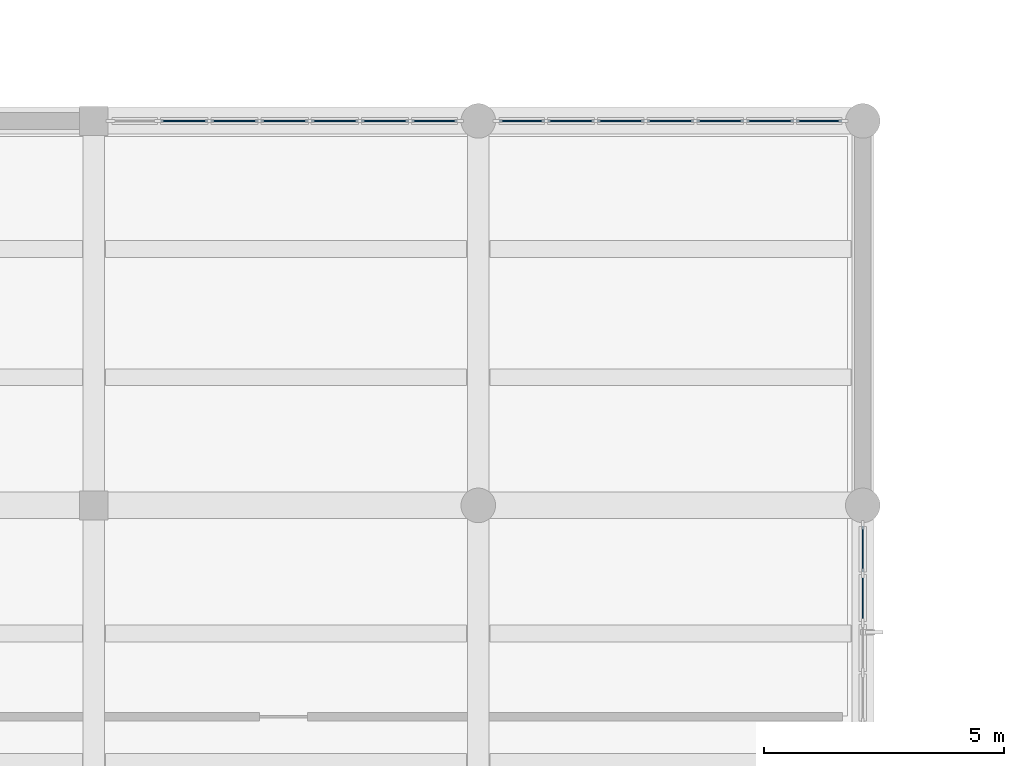
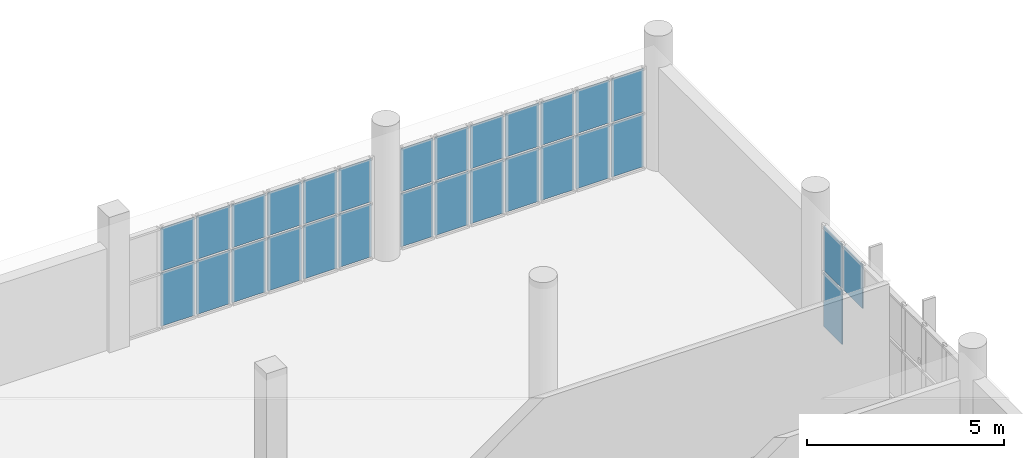
# One storey, part 58 of 85: 29 plates, 3 elements without a shape of their own.
"""IFC4 building model written with IfcOpenShell, lengths in metres."""

from ifc_helpers import new_model, si_unit, direction, frame, origin, origin_2d, place, context, subcontext, project, spatial, rectangle, extrude, material, layer, layer_set, type_object, element, aggregate, save


model = new_model("IFC4")

# Units and contexts
model_context = context("Model", 3, precision=1e-05, world=origin(), true_north=direction((0.0, 1.0)))
body_context = subcontext(model_context, "Body", "Model", "MODEL_VIEW")
ifc_project = project(units=[si_unit("LENGTHUNIT", "METRE"), si_unit("AREAUNIT", "SQUARE_METRE"), si_unit("VOLUMEUNIT", "CUBIC_METRE"), si_unit("PLANEANGLEUNIT", "RADIAN"), si_unit("MASSUNIT", "GRAM", prefix="KILO")], contexts=[model_context])

# Site, building, storey
site_placement = place(None, origin())
site = spatial("IfcSite", under=ifc_project, at=site_placement, CompositionType="ELEMENT")
building_placement = place(site_placement, origin())
building = spatial("IfcBuilding", under=site, at=building_placement, Name="Solvane Community Centre", CompositionType="ELEMENT")
storey_placement = place(building_placement, frame((0.0, 0.0, 5.39990234375)))
storey = spatial("IfcBuildingStorey", under=building, at=storey_placement, Name="L01", CompositionType="ELEMENT", Elevation=5.39990234375)

# Curtain wall, plates
ifc_material_1 = material(Name="Anodised bronze aluminium AW-6063 T6", Category="aluminium")
ifc_layer_1 = layer(ifc_material_1, 0.18994140625)
ifc_layer_set_1 = layer_set([ifc_layer_1], Name="Anodised bronze aluminium AW-6063 T6")
curtain_wall_type_1 = type_object("IfcCurtainWallType", Name="Boulevard Bronze Vision Curtain Wall [72x32dm]", PredefinedType="NOTDEFINED", material=ifc_layer_set_1)
curtain_wall_1_placement = place(storey_placement, origin())
curtain_wall_1 = element("IfcCurtainWall", 1, at=curtain_wall_1_placement, inside=storey, type_object=curtain_wall_type_1, Name="Curtain Wall CW-L01-764_1100-093", PredefinedType="NOTDEFINED")
ifc_material_2 = material(Name="Tempered low-E double glazing", Category="glass")
ifc_layer_2 = layer(ifc_material_2, 0.028076171875)
ifc_layer_set_2 = layer_set([ifc_layer_2], Name="Tempered low-E double glazing")
plate_type_1 = type_object("IfcPlateType", Name="Low-E Vision Glazing Panel 28mm [72x32dm]", PredefinedType="CURTAIN_PANEL", material=ifc_layer_set_2)
plate_1_placement = place(storey_placement, frame((76.907958984375, 110.0, 0.06005859375), z_axis=(0.0, 0.0, 1.0), x_axis=(1.0, 0.0, 0.0)))
plate_1 = element("IfcPlate", 2, at=plate_1_placement, type_object=plate_type_1, Name="CW02-72x32 panel 1.1", PredefinedType="CURTAIN_PANEL", context=body_context, shape_type="SweptSolid", body=[
    extrude(rectangle(XDim=0.94580078125, YDim=0.028076171875, at=origin_2d()), origin(), (0.0, 0.0, 1.0), 1.65087890625),
])
plate_2_placement = place(storey_placement, frame((76.907958984375, 110.0, 1.77099609375), z_axis=(0.0, 0.0, 1.0), x_axis=(1.0, 0.0, 0.0)))
plate_2 = element("IfcPlate", 3, at=plate_2_placement, type_object=plate_type_1, Name="CW02-72x32 panel 1.2", PredefinedType="CURTAIN_PANEL", context=body_context, shape_type="SweptSolid", body=[
    extrude(rectangle(XDim=0.94580078125, YDim=0.028076171875, at=origin_2d()), origin(), (0.0, 0.0, 1.0), 1.333984375),
])
plate_3_placement = place(storey_placement, frame((77.928466796875, 110.0, 0.06005859375), z_axis=(0.0, 0.0, 1.0), x_axis=(1.0, 0.0, 0.0)))
plate_3 = element("IfcPlate", 4, at=plate_3_placement, type_object=plate_type_1, Name="CW02-72x32 panel 2.1", PredefinedType="CURTAIN_PANEL", context=body_context, shape_type="SweptSolid", body=[
    extrude(rectangle(XDim=0.975830078125, YDim=0.028076171875, at=origin_2d()), origin(), (0.0, 0.0, 1.0), 1.65087890625),
])
plate_4_placement = place(storey_placement, frame((77.928466796875, 110.0, 1.77099609375), z_axis=(0.0, 0.0, 1.0), x_axis=(1.0, 0.0, 0.0)))
plate_4 = element("IfcPlate", 5, at=plate_4_placement, type_object=plate_type_1, Name="CW02-72x32 panel 2.2", PredefinedType="CURTAIN_PANEL", context=body_context, shape_type="SweptSolid", body=[
    extrude(rectangle(XDim=0.975830078125, YDim=0.028076171875, at=origin_2d()), origin(), (0.0, 0.0, 1.0), 1.333984375),
])
plate_5_placement = place(storey_placement, frame((78.96435546875, 110.0, 0.06005859375), z_axis=(0.0, 0.0, 1.0), x_axis=(1.0, 0.0, 0.0)))
plate_5 = element("IfcPlate", 6, at=plate_5_placement, type_object=plate_type_1, Name="CW02-72x32 panel 3.1", PredefinedType="CURTAIN_PANEL", context=body_context, shape_type="SweptSolid", body=[
    extrude(rectangle(XDim=0.975830078125, YDim=0.028076171875, at=origin_2d()), origin(), (0.0, 0.0, 1.0), 1.65087890625),
])
plate_6_placement = place(storey_placement, frame((78.96435546875, 110.0, 1.77099609375), z_axis=(0.0, 0.0, 1.0), x_axis=(1.0, 0.0, 0.0)))
plate_6 = element("IfcPlate", 7, at=plate_6_placement, type_object=plate_type_1, Name="CW02-72x32 panel 3.2", PredefinedType="CURTAIN_PANEL", context=body_context, shape_type="SweptSolid", body=[
    extrude(rectangle(XDim=0.975830078125, YDim=0.028076171875, at=origin_2d()), origin(), (0.0, 0.0, 1.0), 1.333984375),
])
plate_7_placement = place(storey_placement, frame((80.0, 110.0, 0.06005859375), z_axis=(0.0, 0.0, 1.0), x_axis=(1.0, 0.0, 0.0)))
plate_7 = element("IfcPlate", 8, at=plate_7_placement, type_object=plate_type_1, Name="CW02-72x32 panel 4.1", PredefinedType="CURTAIN_PANEL", context=body_context, shape_type="SweptSolid", body=[
    extrude(rectangle(XDim=0.975830078125, YDim=0.028076171875, at=origin_2d()), origin(), (0.0, 0.0, 1.0), 1.65087890625),
])
plate_8_placement = place(storey_placement, frame((80.0, 110.0, 1.77099609375), z_axis=(0.0, 0.0, 1.0), x_axis=(1.0, 0.0, 0.0)))
plate_8 = element("IfcPlate", 9, at=plate_8_placement, type_object=plate_type_1, Name="CW02-72x32 panel 4.2", PredefinedType="CURTAIN_PANEL", context=body_context, shape_type="SweptSolid", body=[
    extrude(rectangle(XDim=0.975830078125, YDim=0.028076171875, at=origin_2d()), origin(), (0.0, 0.0, 1.0), 1.333984375),
])
plate_9_placement = place(storey_placement, frame((81.03564453125, 110.0, 0.06005859375), z_axis=(0.0, 0.0, 1.0), x_axis=(1.0, 0.0, 0.0)))
plate_9 = element("IfcPlate", 10, at=plate_9_placement, type_object=plate_type_1, Name="CW02-72x32 panel 5.1", PredefinedType="CURTAIN_PANEL", context=body_context, shape_type="SweptSolid", body=[
    extrude(rectangle(XDim=0.975830078125, YDim=0.028076171875, at=origin_2d()), origin(), (0.0, 0.0, 1.0), 1.65087890625),
])
plate_10_placement = place(storey_placement, frame((81.03564453125, 110.0, 1.77099609375), z_axis=(0.0, 0.0, 1.0), x_axis=(1.0, 0.0, 0.0)))
plate_10 = element("IfcPlate", 11, at=plate_10_placement, type_object=plate_type_1, Name="CW02-72x32 panel 5.2", PredefinedType="CURTAIN_PANEL", context=body_context, shape_type="SweptSolid", body=[
    extrude(rectangle(XDim=0.975830078125, YDim=0.028076171875, at=origin_2d()), origin(), (0.0, 0.0, 1.0), 1.333984375),
])
plate_11_placement = place(storey_placement, frame((82.071533203125, 110.0, 0.06005859375), z_axis=(0.0, 0.0, 1.0), x_axis=(1.0, 0.0, 0.0)))
plate_11 = element("IfcPlate", 12, at=plate_11_placement, type_object=plate_type_1, Name="CW02-72x32 panel 6.1", PredefinedType="CURTAIN_PANEL", context=body_context, shape_type="SweptSolid", body=[
    extrude(rectangle(XDim=0.975830078125, YDim=0.028076171875, at=origin_2d()), origin(), (0.0, 0.0, 1.0), 1.65087890625),
])
plate_12_placement = place(storey_placement, frame((82.071533203125, 110.0, 1.77099609375), z_axis=(0.0, 0.0, 1.0), x_axis=(1.0, 0.0, 0.0)))
plate_12 = element("IfcPlate", 13, at=plate_12_placement, type_object=plate_type_1, Name="CW02-72x32 panel 6.2", PredefinedType="CURTAIN_PANEL", context=body_context, shape_type="SweptSolid", body=[
    extrude(rectangle(XDim=0.975830078125, YDim=0.028076171875, at=origin_2d()), origin(), (0.0, 0.0, 1.0), 1.333984375),
])
plate_13_placement = place(storey_placement, frame((83.092041015625, 110.0, 0.06005859375), z_axis=(0.0, 0.0, 1.0), x_axis=(1.0, 0.0, 0.0)))
plate_13 = element("IfcPlate", 14, at=plate_13_placement, type_object=plate_type_1, Name="CW02-72x32 panel 7.1", PredefinedType="CURTAIN_PANEL", context=body_context, shape_type="SweptSolid", body=[
    extrude(rectangle(XDim=0.94580078125, YDim=0.028076171875, at=origin_2d()), origin(), (0.0, 0.0, 1.0), 1.65087890625),
])
plate_14_placement = place(storey_placement, frame((83.092041015625, 110.0, 1.77099609375), z_axis=(0.0, 0.0, 1.0), x_axis=(1.0, 0.0, 0.0)))
plate_14 = element("IfcPlate", 15, at=plate_14_placement, type_object=plate_type_1, Name="CW02-72x32 panel 7.2", PredefinedType="CURTAIN_PANEL", context=body_context, shape_type="SweptSolid", body=[
    extrude(rectangle(XDim=0.94580078125, YDim=0.028076171875, at=origin_2d()), origin(), (0.0, 0.0, 1.0), 1.333984375),
])
aggregate(curtain_wall_1, [plate_1, plate_2, plate_3, plate_4, plate_5, plate_6, plate_7, plate_8, plate_9, plate_10, plate_11, plate_12, plate_13, plate_14])

curtain_wall_2_placement = place(storey_placement, origin())
curtain_wall_2 = element("IfcCurtainWall", 16, at=curtain_wall_2_placement, inside=storey, type_object=curtain_wall_type_1, Name="Curtain Wall CW-L01-840_1016-094", PredefinedType="NOTDEFINED")
plate_15_placement = place(storey_placement, frame((84.0, 101.092041015625, 0.06005859375), z_axis=(0.0, 0.0, 1.0), x_axis=(0.0, -1.0, 0.0)))
plate_15 = element("IfcPlate", 17, at=plate_15_placement, type_object=plate_type_1, Name="CW02-72x32 panel 1.1", PredefinedType="CURTAIN_PANEL", context=body_context, shape_type="SweptSolid", body=[
    extrude(rectangle(XDim=0.94580078125, YDim=0.028076171875, at=origin_2d()), origin(), (0.0, 0.0, 1.0), 1.68408203125),
])
plate_16_placement = place(storey_placement, frame((84.0, 101.092041015625, 1.80419921875), z_axis=(0.0, 0.0, 1.0), x_axis=(0.0, -1.0, 0.0)))
plate_16 = element("IfcPlate", 18, at=plate_16_placement, type_object=plate_type_1, Name="CW02-72x32 panel 1.2", PredefinedType="CURTAIN_PANEL", context=body_context, shape_type="SweptSolid", body=[
    extrude(rectangle(XDim=0.94580078125, YDim=0.028076171875, at=origin_2d()), origin(), (0.0, 0.0, 1.0), 1.361083984375),
])
plate_17_placement = place(storey_placement, frame((84.0, 100.071533203125, 1.80419921875), z_axis=(0.0, 0.0, 1.0), x_axis=(0.0, -1.0, 0.0)))
plate_17 = element("IfcPlate", 19, at=plate_17_placement, type_object=plate_type_1, Name="CW02-72x32 panel 2.2", PredefinedType="CURTAIN_PANEL", context=body_context, shape_type="SweptSolid", body=[
    extrude(rectangle(XDim=0.975830078125, YDim=0.028076171875, at=origin_2d()), origin(), (0.0, 0.0, 1.0), 1.361083984375),
])
aggregate(curtain_wall_2, [plate_15, plate_16, plate_17])

ifc_layer_3 = layer(ifc_material_1, 0.18994140625)
ifc_layer_set_3 = layer_set([ifc_layer_3], Name="Anodised bronze aluminium AW-6063 T6")
curtain_wall_type_2 = type_object("IfcCurtainWallType", Name="Boulevard Bronze Vision Curtain Wall [73x32dm]", PredefinedType="NOTDEFINED", material=ifc_layer_set_3)
curtain_wall_3_placement = place(storey_placement, origin())
curtain_wall_3 = element("IfcCurtainWall", 20, at=curtain_wall_3_placement, inside=storey, type_object=curtain_wall_type_2, Name="Curtain Wall CW-L01-683_1100-092", PredefinedType="NOTDEFINED")
ifc_layer_4 = layer(ifc_material_2, 0.028076171875)
ifc_layer_set_4 = layer_set([ifc_layer_4], Name="Tempered low-E double glazing")
plate_type_2 = type_object("IfcPlateType", Name="Low-E Vision Glazing Panel 28mm [73x32dm]", PredefinedType="CURTAIN_PANEL", material=ifc_layer_set_4)
plate_18_placement = place(storey_placement, frame((69.88134765625, 110.0, 0.06005859375), z_axis=(0.0, 0.0, 1.0), x_axis=(1.0, 0.0, 0.0)))
plate_18 = element("IfcPlate", 21, at=plate_18_placement, type_object=plate_type_2, Name="CW02-73x32 panel 2.1", PredefinedType="CURTAIN_PANEL", context=body_context, shape_type="SweptSolid", body=[
    extrude(rectangle(XDim=0.984375, YDim=0.028076171875, at=origin_2d()), origin(), (0.0, 0.0, 1.0), 1.65087890625),
])
plate_19_placement = place(storey_placement, frame((69.88134765625, 110.0, 1.77099609375), z_axis=(0.0, 0.0, 1.0), x_axis=(1.0, 0.0, 0.0)))
plate_19 = element("IfcPlate", 22, at=plate_19_placement, type_object=plate_type_2, Name="CW02-73x32 panel 2.2", PredefinedType="CURTAIN_PANEL", context=body_context, shape_type="SweptSolid", body=[
    extrude(rectangle(XDim=0.984375, YDim=0.028076171875, at=origin_2d()), origin(), (0.0, 0.0, 1.0), 1.333984375),
])
plate_20_placement = place(storey_placement, frame((70.92578125, 110.0, 0.06005859375), z_axis=(0.0, 0.0, 1.0), x_axis=(1.0, 0.0, 0.0)))
plate_20 = element("IfcPlate", 23, at=plate_20_placement, type_object=plate_type_2, Name="CW02-73x32 panel 3.1", PredefinedType="CURTAIN_PANEL", context=body_context, shape_type="SweptSolid", body=[
    extrude(rectangle(XDim=0.984375, YDim=0.028076171875, at=origin_2d()), origin(), (0.0, 0.0, 1.0), 1.65087890625),
])
plate_21_placement = place(storey_placement, frame((70.92578125, 110.0, 1.77099609375), z_axis=(0.0, 0.0, 1.0), x_axis=(1.0, 0.0, 0.0)))
plate_21 = element("IfcPlate", 24, at=plate_21_placement, type_object=plate_type_2, Name="CW02-73x32 panel 3.2", PredefinedType="CURTAIN_PANEL", context=body_context, shape_type="SweptSolid", body=[
    extrude(rectangle(XDim=0.984375, YDim=0.028076171875, at=origin_2d()), origin(), (0.0, 0.0, 1.0), 1.333984375),
])
plate_22_placement = place(storey_placement, frame((71.969970703125, 110.0, 0.06005859375), z_axis=(0.0, 0.0, 1.0), x_axis=(1.0, 0.0, 0.0)))
plate_22 = element("IfcPlate", 25, at=plate_22_placement, type_object=plate_type_2, Name="CW02-73x32 panel 4.1", PredefinedType="CURTAIN_PANEL", context=body_context, shape_type="SweptSolid", body=[
    extrude(rectangle(XDim=0.984375, YDim=0.028076171875, at=origin_2d()), origin(), (0.0, 0.0, 1.0), 1.65087890625),
])
plate_23_placement = place(storey_placement, frame((71.969970703125, 110.0, 1.77099609375), z_axis=(0.0, 0.0, 1.0), x_axis=(1.0, 0.0, 0.0)))
plate_23 = element("IfcPlate", 26, at=plate_23_placement, type_object=plate_type_2, Name="CW02-73x32 panel 4.2", PredefinedType="CURTAIN_PANEL", context=body_context, shape_type="SweptSolid", body=[
    extrude(rectangle(XDim=0.984375, YDim=0.028076171875, at=origin_2d()), origin(), (0.0, 0.0, 1.0), 1.333984375),
])
plate_24_placement = place(storey_placement, frame((73.014404296875, 110.0, 0.06005859375), z_axis=(0.0, 0.0, 1.0), x_axis=(1.0, 0.0, 0.0)))
plate_24 = element("IfcPlate", 27, at=plate_24_placement, type_object=plate_type_2, Name="CW02-73x32 panel 5.1", PredefinedType="CURTAIN_PANEL", context=body_context, shape_type="SweptSolid", body=[
    extrude(rectangle(XDim=0.984375, YDim=0.028076171875, at=origin_2d()), origin(), (0.0, 0.0, 1.0), 1.65087890625),
])
plate_25_placement = place(storey_placement, frame((73.014404296875, 110.0, 1.77099609375), z_axis=(0.0, 0.0, 1.0), x_axis=(1.0, 0.0, 0.0)))
plate_25 = element("IfcPlate", 28, at=plate_25_placement, type_object=plate_type_2, Name="CW02-73x32 panel 5.2", PredefinedType="CURTAIN_PANEL", context=body_context, shape_type="SweptSolid", body=[
    extrude(rectangle(XDim=0.984375, YDim=0.028076171875, at=origin_2d()), origin(), (0.0, 0.0, 1.0), 1.333984375),
])
plate_26_placement = place(storey_placement, frame((74.05859375, 110.0, 0.06005859375), z_axis=(0.0, 0.0, 1.0), x_axis=(1.0, 0.0, 0.0)))
plate_26 = element("IfcPlate", 29, at=plate_26_placement, type_object=plate_type_2, Name="CW02-73x32 panel 6.1", PredefinedType="CURTAIN_PANEL", context=body_context, shape_type="SweptSolid", body=[
    extrude(rectangle(XDim=0.984375, YDim=0.028076171875, at=origin_2d()), origin(), (0.0, 0.0, 1.0), 1.65087890625),
])
plate_27_placement = place(storey_placement, frame((74.05859375, 110.0, 1.77099609375), z_axis=(0.0, 0.0, 1.0), x_axis=(1.0, 0.0, 0.0)))
plate_27 = element("IfcPlate", 30, at=plate_27_placement, type_object=plate_type_2, Name="CW02-73x32 panel 6.2", PredefinedType="CURTAIN_PANEL", context=body_context, shape_type="SweptSolid", body=[
    extrude(rectangle(XDim=0.984375, YDim=0.028076171875, at=origin_2d()), origin(), (0.0, 0.0, 1.0), 1.333984375),
])
plate_28_placement = place(storey_placement, frame((75.087890625, 110.0, 0.06005859375), z_axis=(0.0, 0.0, 1.0), x_axis=(1.0, 0.0, 0.0)))
plate_28 = element("IfcPlate", 31, at=plate_28_placement, type_object=plate_type_2, Name="CW02-73x32 panel 7.1", PredefinedType="CURTAIN_PANEL", context=body_context, shape_type="SweptSolid", body=[
    extrude(rectangle(XDim=0.954345703125, YDim=0.028076171875, at=origin_2d()), origin(), (0.0, 0.0, 1.0), 1.65087890625),
])
plate_29_placement = place(storey_placement, frame((75.087890625, 110.0, 1.77099609375), z_axis=(0.0, 0.0, 1.0), x_axis=(1.0, 0.0, 0.0)))
plate_29 = element("IfcPlate", 32, at=plate_29_placement, type_object=plate_type_2, Name="CW02-73x32 panel 7.2", PredefinedType="CURTAIN_PANEL", context=body_context, shape_type="SweptSolid", body=[
    extrude(rectangle(XDim=0.954345703125, YDim=0.028076171875, at=origin_2d()), origin(), (0.0, 0.0, 1.0), 1.333984375),
])
aggregate(curtain_wall_3, [plate_18, plate_19, plate_20, plate_21, plate_22, plate_23, plate_24, plate_25, plate_26, plate_27, plate_28, plate_29])

save(model, "model.ifc")
